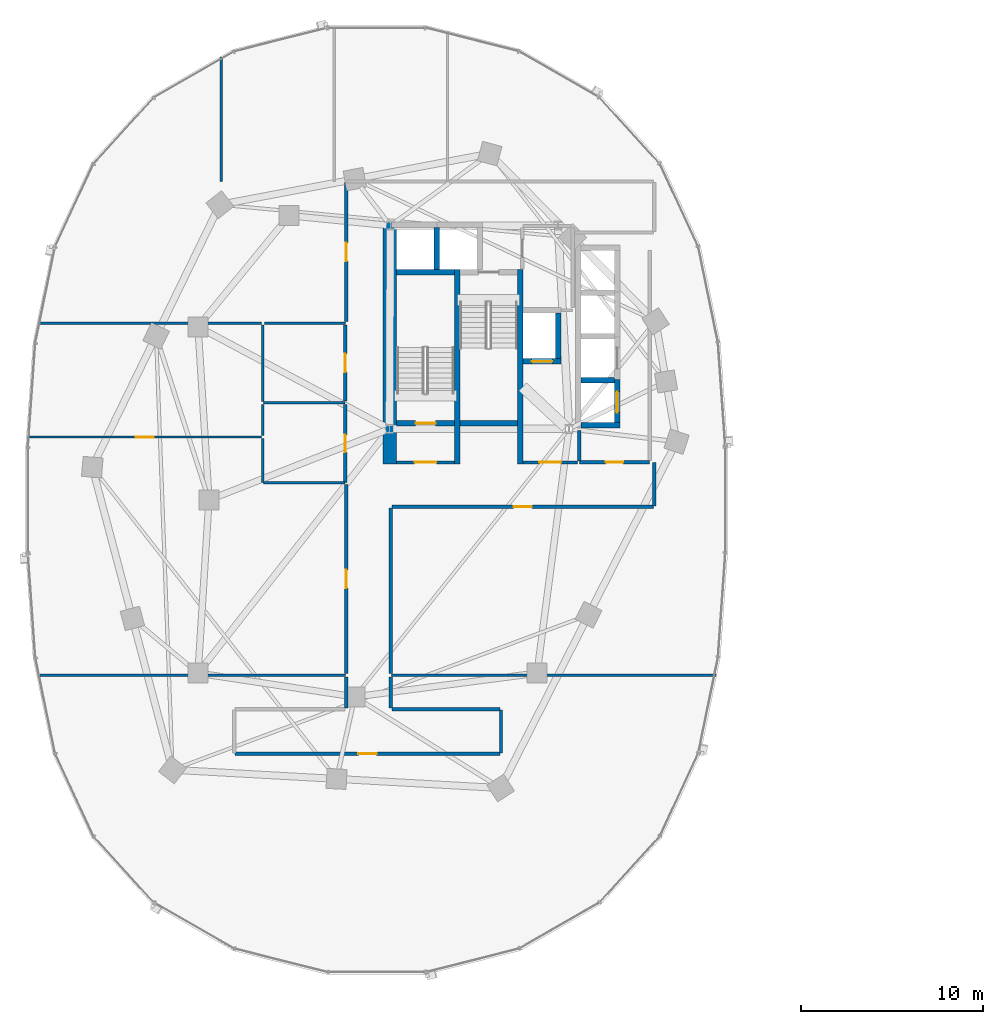
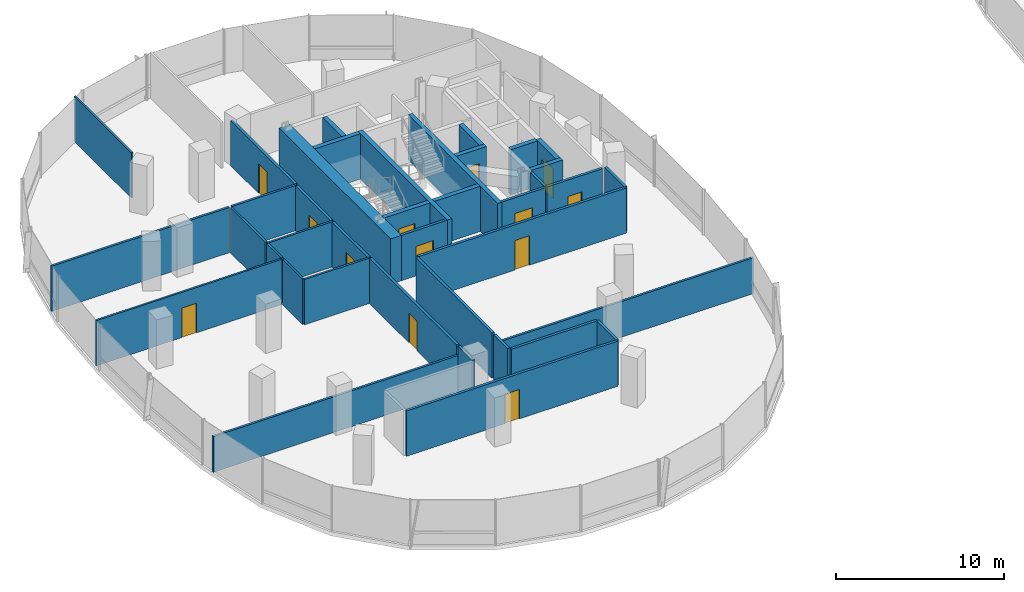
# One storey, part 11 of 21: 39 walls, 13 doors, 13 openings.
"""IFC4 building model written with IfcOpenShell, lengths in metres."""

import ifcopenshell
import ifcopenshell.guid

model = None  # the IFC model being written
_history = None  # IfcOwnerHistory: only IFC2X3 demands one
_inside = {}  # id of a spatial element -> (the spatial element, [elements in it])
_under = {}  # id of a project, library or spatial element -> (it, [spatial elements below it])
_declared = {}  # id of a project -> (the project, [libraries it declares])
_typed = {}  # id of a type object -> (the type object, [elements of that type])
_made_of = {}  # id of a material, layer set ... -> (it, [elements and type objects made of it])


def new_model(schema):
    """Start an empty IFC model of exactly this schema.

    Asked for "IFC4X3", IfcOpenShell would pick the latest addendum, in which some entities
    have other attributes; the version numbers below select the first issue.
    IFC2X3 requires an IfcOwnerHistory on every rooted entity: one is made here for all.
    """
    global model, _history
    if schema == "IFC4X3":
        model = ifcopenshell.file(schema_version=(4, 3, 0, 0))
    else:
        model = ifcopenshell.file(schema=schema)
    _inside.clear()
    _under.clear()
    _declared.clear()
    _typed.clear()
    _made_of.clear()
    _history = None
    if model.schema == "IFC2X3":
        org = make("IfcOrganization", Name="unknown")
        user = make(
            "IfcPersonAndOrganization",
            ThePerson=make("IfcPerson", FamilyName="unknown"),
            TheOrganization=org,
        )
        app = make(
            "IfcApplication",
            ApplicationDeveloper=org,
            Version="unknown",
            ApplicationFullName="unknown",
            ApplicationIdentifier="unknown",
        )
        _history = make(
            "IfcOwnerHistory",
            OwningUser=user,
            OwningApplication=app,
            ChangeAction="ADDED",
            CreationDate=0,
        )
    return model


def make(cls, **values):
    """One entity of the class cls with the attributes given. An attribute that is None is left unset."""
    return model.create_entity(
        cls, **{name: value for name, value in values.items() if value is not None}
    )


def rooted(cls, **values):
    """An entity with a GlobalId (a new one), such as an element, a storey or a relation."""
    return make(cls, GlobalId=ifcopenshell.guid.new(), OwnerHistory=_history, **values)


def si_unit(unit_type, name, prefix=None):
    """IfcSIUnit, for example si_unit("LENGTHUNIT", "METRE", prefix="MILLI")."""
    return make("IfcSIUnit", UnitType=unit_type, Prefix=prefix, Name=name)


def assignment(units):
    """IfcUnitAssignment: the units of a project."""
    return None if units is None else make("IfcUnitAssignment", Units=units)


def point(xyz):
    """IfcCartesianPoint."""
    return None if xyz is None else make("IfcCartesianPoint", Coordinates=xyz)


def direction(xyz):
    """IfcDirection."""
    return None if xyz is None else make("IfcDirection", DirectionRatios=xyz)


def frame(location, z_axis=None, x_axis=None):
    """IfcAxis2Placement3D, a coordinate frame: its origin and axes. An axis left out is left unset."""
    return make(
        "IfcAxis2Placement3D",
        Location=point(location),
        Axis=direction(z_axis),
        RefDirection=direction(x_axis),
    )


def frame_2d(location, x_axis=None):
    """IfcAxis2Placement2D, a coordinate frame in the plane: its origin and x axis."""
    return make(
        "IfcAxis2Placement2D", Location=point(location), RefDirection=direction(x_axis)
    )


def origin():
    """The frame at (0, 0, 0) with its axes left unset."""
    return frame((0.0, 0.0, 0.0))


def place(relative_to, where):
    """IfcLocalPlacement: puts the frame where relative to a parent placement (None: the world)."""
    return make(
        "IfcLocalPlacement", PlacementRelTo=relative_to, RelativePlacement=where
    )


def context(
    kind, dimensions, precision=None, world=None, true_north=None, identifier=None
):
    """IfcGeometricRepresentationContext, for example the 3D "Model" context."""
    return make(
        "IfcGeometricRepresentationContext",
        ContextIdentifier=identifier,
        ContextType=kind,
        CoordinateSpaceDimension=dimensions,
        Precision=precision,
        WorldCoordinateSystem=world,
        TrueNorth=true_north,
    )


def subcontext(parent, identifier, kind, view, scale=None):
    """IfcGeometricRepresentationSubContext, for example "Body" below "Model"."""
    return make(
        "IfcGeometricRepresentationSubContext",
        ContextIdentifier=identifier,
        ContextType=kind,
        ParentContext=parent,
        TargetScale=scale,
        TargetView=view,
    )


def project(units=None, contexts=None):
    """IfcProject with its units and contexts."""
    return rooted(
        "IfcProject",
        Name="project",
        RepresentationContexts=contexts,
        UnitsInContext=assignment(units),
    )


def spatial(cls, under=None, at=None, **own):
    """A site, building, storey or space (cls), placed at a placement, below another one or the project."""
    s = rooted(cls, ObjectPlacement=at, **own)
    if under is not None:
        _under.setdefault(under.id(), (under, []))[1].append(s)
    return s


def profile(cls, at=None, kind="AREA", **sizes):
    """A parametric profile (cls). Its sizes go by their IFC names, for example OverallWidth=200.0."""
    return make(cls, ProfileType=kind, Position=at, **sizes)


def rectangle(**sizes):
    """IfcRectangleProfileDef."""
    return profile("IfcRectangleProfileDef", **sizes)


def extrude(swept, where, along, depth):
    """IfcExtrudedAreaSolid: the profile swept, set in the frame where, extruded along a direction by depth."""
    return make(
        "IfcExtrudedAreaSolid",
        SweptArea=swept,
        Position=where,
        ExtrudedDirection=direction(along),
        Depth=depth,
    )


def shape(context_of_items, identifier, shape_type, items):
    """IfcShapeRepresentation: the items that make up one representation, for example the "Body"."""
    return make(
        "IfcShapeRepresentation",
        ContextOfItems=context_of_items,
        RepresentationIdentifier=identifier,
        RepresentationType=shape_type,
        Items=items,
    )


def material(Name=None, Category=None):
    """IfcMaterial."""
    return make("IfcMaterial", Name=Name, Category=Category)


def layer(
    of_material, thickness, ventilated=None, Name=None, Category=None, Priority=None
):
    """IfcMaterialLayer: one layer of a wall or slab, of a material (None: an air gap)."""
    return make(
        "IfcMaterialLayer",
        Material=of_material,
        LayerThickness=thickness,
        IsVentilated=ventilated,
        Name=Name,
        Category=Category,
        Priority=Priority,
    )


def layer_set(layers, Name=None):
    """IfcMaterialLayerSet."""
    return make("IfcMaterialLayerSet", MaterialLayers=layers, LayerSetName=Name)


def made_of(thing, what):
    """Note that an element or type object is made of a material, layer set ...; save() writes the relation."""
    if what is not None:
        _made_of.setdefault(what.id(), (what, []))[1].append(thing)
    return thing


def type_object(cls, material=None, **own):
    """A type object (cls), such as IfcWallType, which elements share."""
    return made_of(rooted(cls, **own), material)


def element(
    cls,
    number,
    at=None,
    inside=None,
    cuts=None,
    type_object=None,
    material=None,
    context=None,
    identifier="Body",
    shape_type=None,
    held_by="IfcProductDefinitionShape",
    body=None,
    shapes=None,
    **own,
):
    """One element of the class cls, such as IfcWall. Its Tag is "e" and its number.

    at: its placement. inside: the storey or other place that contains it. cuts: it is an
    opening in that element (IfcRelVoidsElement). A single representation is given by context,
    identifier, shape_type and body (its items); several are given by shapes. held_by: the class
    of the entity that holds the representations. save() writes the other relations.
    """
    e = rooted(cls, Tag="e%d" % number, ObjectPlacement=at, **own)
    if body is not None:
        shapes = [shape(context, identifier, shape_type, body)]
    if shapes is not None:
        e.Representation = make(held_by, Representations=shapes)
    if inside is not None:
        _inside.setdefault(inside.id(), (inside, []))[1].append(e)
    if cuts is not None:
        rooted(
            "IfcRelVoidsElement", RelatingBuildingElement=cuts, RelatedOpeningElement=e
        )
    if type_object is not None:
        _typed.setdefault(type_object.id(), (type_object, []))[1].append(e)
    return made_of(e, material)


def fill(opening, filler):
    """IfcRelFillsElement: the door or window that sits in an opening."""
    return rooted(
        "IfcRelFillsElement",
        RelatingOpeningElement=opening,
        RelatedBuildingElement=filler,
    )


def aggregate(whole, parts):
    """IfcRelAggregates: a whole, such as a stair, and the parts it consists of."""
    return rooted("IfcRelAggregates", RelatingObject=whole, RelatedObjects=parts)


def save(model, path):
    """Write the relations noted so far, then the file.

    IfcRelAggregates (storeys below a building ...), IfcRelContainedInSpatialStructure (elements
    in a storey), IfcRelDefinesByType, IfcRelAssociatesMaterial and IfcRelDeclares: one each for
    every whole, place, type object, material and project.
    """
    for whole, parts in _under.values():
        aggregate(whole, parts)
    for where, things in _inside.values():
        rooted(
            "IfcRelContainedInSpatialStructure",
            RelatedElements=things,
            RelatingStructure=where,
        )
    for kind, things in _typed.values():
        rooted("IfcRelDefinesByType", RelatedObjects=things, RelatingType=kind)
    for what, things in _made_of.values():
        rooted("IfcRelAssociatesMaterial", RelatedObjects=things, RelatingMaterial=what)
    for by, libraries in _declared.values():
        rooted("IfcRelDeclares", RelatingContext=by, RelatedDefinitions=libraries)
    model.write(path)


model = new_model("IFC4")

# Units and contexts
model_context = context("Model", 3, precision=1e-05, world=origin(), true_north=direction((0.0, 1.0)))
body_context = subcontext(model_context, "Body", "Model", "MODEL_VIEW")
ifc_project = project(units=[si_unit("LENGTHUNIT", "METRE"), si_unit("AREAUNIT", "SQUARE_METRE"), si_unit("VOLUMEUNIT", "CUBIC_METRE"), si_unit("PLANEANGLEUNIT", "RADIAN"), si_unit("MASSUNIT", "GRAM", prefix="KILO"), si_unit("THERMODYNAMICTEMPERATUREUNIT", "KELVIN"), si_unit("POWERUNIT", "WATT")], contexts=[model_context])

# Site, building, storey
site_placement = place(None, origin())
site = spatial("IfcSite", under=ifc_project, at=site_placement, CompositionType="ELEMENT")
building_placement = place(site_placement, origin())
building = spatial("IfcBuilding", under=site, at=building_placement, Name="Cundina Bronze Exchange", CompositionType="ELEMENT")
storey_placement = place(building_placement, frame((0.0, 0.0, 96.199951171875)))
storey = spatial("IfcBuildingStorey", under=building, at=storey_placement, Name="L24", CompositionType="ELEMENT", Elevation=96.199951171875)

# Wall
ifc_material_1 = material(Name="Gypsum Fireboard Partition EI120")
ifc_layer_1 = layer(ifc_material_1, 0.179931640625, Name="Gypsum Fireboard Partition EI120")
ifc_layer_set_1 = layer_set([ifc_layer_1], Name="Gypsum Fireboard Partition EI120")
wall_type_1 = type_object("IfcWallType", Name="WL-COR-180", PredefinedType="PARTITIONING", material=ifc_layer_set_1)
wall_1_placement = place(storey_placement, frame((-20.889892578125, 2.14990234375, 0.0), z_axis=(0.0, 0.0, 1.0), x_axis=(0.0, 1.0, 0.0)))
element("IfcWall", 1, at=wall_1_placement, inside=storey, type_object=wall_type_1, Name="L24 W Firefighting Lobby Side Wall", PredefinedType="PARTITIONING", context=body_context, shape_type="SweptSolid", body=[
    extrude(rectangle(XDim=1.650146484375, YDim=0.179931640625, at=frame_2d((0.8251953125, 0.0))), origin(), (0.0, 0.0, 1.0), 3.300048828125),
])

# Wall, opening, door
wall_2_placement = place(storey_placement, frame((-23.97998046875, 2.06005859375, 0.0), z_axis=(0.0, 0.0, 1.0), x_axis=(1.0, 0.0, 0.0)))
wall_2 = element("IfcWall", 2, at=wall_2_placement, inside=storey, type_object=wall_type_1, Name="L24 W Firefighting Lobby Exit Wall", PredefinedType="PARTITIONING", context=body_context, shape_type="SweptSolid", body=[
    extrude(rectangle(XDim=3.0, YDim=0.179931640625, at=frame_2d((1.5, 0.0))), origin(), (0.0, 0.0, 1.0), 3.300048828125),
])
opening_1_placement = place(wall_2_placement, frame((0.89990234375, 0.0, 0.0)))
opening_1 = element("IfcOpeningElement", 3, at=opening_1_placement, cuts=wall_2, Name="Opening DF-01", PredefinedType="OPENING", context=body_context, shape_type="SweptSolid", body=[
    extrude(rectangle(XDim=1.199951171875, YDim=2.14990234375, at=frame_2d((0.60009765625, 1.074951171875))), frame((0.0, 0.099853515625, 0.0), z_axis=(0.0, -1.0, 0.0), x_axis=(1.0, 0.0, 0.0)), (0.0, 0.0, 1.0), 0.199951171875),
])
ifc_material_2 = material(Name="Steel ASTM A36 Painted", Category="steel")
door_type_1 = type_object("IfcDoorType", Name="DR-FFL-1200", OperationType="NOTDEFINED", PredefinedType="DOOR", material=ifc_material_2)
door_1_placement = place(opening_1_placement, origin())
door_1 = element("IfcDoor", 4, at=door_1_placement, inside=storey, type_object=door_type_1, Name="L24 W Firefighting Lobby Door", OperationType="SINGLE_SWING_RIGHT", OverallHeight=2.14990234375, OverallWidth=1.199951171875, PredefinedType="DOOR", context=body_context, shape_type="SweptSolid", body=[
    extrude(rectangle(XDim=1.199951171875, YDim=2.14990234375, at=frame_2d((0.60009765625, 1.074951171875))), frame((0.0, 0.02490234375, 0.0), z_axis=(0.0, -1.0, 0.0), x_axis=(1.0, 0.0, 0.0)), (0.0, 0.0, 1.0), 0.050048828125),
])
fill(opening_1, door_1)

wall_3_placement = place(storey_placement, frame((-30.89990234375, 2.06005859375, 0.0), z_axis=(0.0, 0.0, 1.0), x_axis=(1.0, 0.0, 0.0)))
wall_3 = element("IfcWall", 5, at=wall_3_placement, inside=storey, type_object=wall_type_1, Name="L24 W Stair Vestibule Exit Wall", PredefinedType="PARTITIONING", context=body_context, shape_type="SweptSolid", body=[
    extrude(rectangle(XDim=3.159912109375, YDim=0.179931640625, at=frame_2d((1.580078125, 0.0))), origin(), (0.0, 0.0, 1.0), 3.300048828125),
])
opening_2_placement = place(wall_3_placement, frame((0.97998046875, 0.0, 0.0)))
opening_2 = element("IfcOpeningElement", 6, at=opening_2_placement, cuts=wall_3, Name="Opening DF-01", PredefinedType="OPENING", context=body_context, shape_type="SweptSolid", body=[
    extrude(rectangle(XDim=1.199951171875, YDim=2.14990234375, at=frame_2d((0.60009765625, 1.074951171875))), frame((0.0, 0.099853515625, 0.0), z_axis=(0.0, -1.0, 0.0), x_axis=(1.0, 0.0, 0.0)), (0.0, 0.0, 1.0), 0.199951171875),
])
door_2_placement = place(opening_2_placement, origin())
door_2 = element("IfcDoor", 7, at=door_2_placement, inside=storey, type_object=door_type_1, Name="L24 W Stair Vestibule Door", OperationType="SINGLE_SWING_LEFT", OverallHeight=2.14990234375, OverallWidth=1.199951171875, PredefinedType="DOOR", context=body_context, shape_type="SweptSolid", body=[
    extrude(rectangle(XDim=1.199951171875, YDim=2.14990234375, at=frame_2d((0.60009765625, 1.074951171875))), frame((0.0, 0.02490234375, 0.0), z_axis=(0.0, -1.0, 0.0), x_axis=(1.0, 0.0, 0.0)), (0.0, 0.0, 1.0), 0.050048828125),
])
fill(opening_2, door_2)

wall_4_placement = place(storey_placement, frame((-20.8701171875, 2.070068359375, 0.0), z_axis=(0.0, 0.0, 1.0), x_axis=(1.0, 0.0, 0.0)))
wall_4 = element("IfcWall", 8, at=wall_4_placement, inside=storey, type_object=wall_type_1, Name="L24 Interior Partition 002", PredefinedType="PARTITIONING", context=body_context, shape_type="SweptSolid", body=[
    extrude(rectangle(XDim=3.830078125, YDim=0.179931640625, at=frame_2d((1.9150390625, 0.0))), origin(), (0.0, 0.0, 1.0), 3.300048828125),
])
opening_3_placement = place(wall_4_placement, frame((1.43994140625, 0.0, 0.0)))
opening_3 = element("IfcOpeningElement", 9, at=opening_3_placement, cuts=wall_4, Name="Opening DW-01", PredefinedType="OPENING", context=body_context, shape_type="SweptSolid", body=[
    extrude(rectangle(XDim=0.949951171875, YDim=2.10009765625, at=frame_2d((0.47509765625, 1.050048828125))), frame((0.0, 0.099853515625, 0.0), z_axis=(0.0, -1.0, 0.0), x_axis=(1.0, 0.0, 0.0)), (0.0, 0.0, 1.0), 0.199951171875),
])
ifc_material_3 = material(Name="Solid Andean Oak Timber Grade A", Category="wood")
door_type_2 = type_object("IfcDoorType", Name="DR-WC-950", OperationType="NOTDEFINED", PredefinedType="DOOR", material=ifc_material_3)
door_3_placement = place(opening_3_placement, origin())
door_3 = element("IfcDoor", 10, at=door_3_placement, inside=storey, type_object=door_type_2, Name="L24 Interior Door 002", OperationType="SINGLE_SWING_LEFT", OverallHeight=2.10009765625, OverallWidth=0.949951171875, PredefinedType="DOOR", context=body_context, shape_type="SweptSolid", body=[
    extrude(rectangle(XDim=0.949951171875, YDim=2.10009765625, at=frame_2d((0.47509765625, 1.050048828125))), frame((0.0, 0.02490234375, 0.0), z_axis=(0.0, -1.0, 0.0), x_axis=(1.0, 0.0, 0.0)), (0.0, 0.0, 1.0), 0.050048828125),
])
fill(opening_3, door_3)

wall_5_placement = place(storey_placement, frame((-33.719970703125, 0.969970703125, 0.0), z_axis=(0.0, 0.0, 1.0), x_axis=(0.0, 1.0, 0.0)))
wall_5 = element("IfcWall", 11, at=wall_5_placement, inside=storey, type_object=wall_type_1, Name="L24 Interior Partition 012", PredefinedType="PARTITIONING", context=body_context, shape_type="SweptSolid", body=[
    extrude(rectangle(XDim=4.260009765625, YDim=0.179931640625, at=frame_2d((2.1298828125, 0.0))), origin(), (0.0, 0.0, 1.0), 3.300048828125),
])
opening_4_placement = place(wall_5_placement, frame((1.655029296875, 0.0, 0.0)))
opening_4 = element("IfcOpeningElement", 12, at=opening_4_placement, cuts=wall_5, Name="Opening DW-01", PredefinedType="OPENING", context=body_context, shape_type="SweptSolid", body=[
    extrude(rectangle(XDim=0.949951171875, YDim=2.10009765625, at=frame_2d((0.47509765625, 1.050048828125))), frame((0.0, 0.099853515625, 0.0), z_axis=(0.0, -1.0, 0.0), x_axis=(1.0, 0.0, 0.0)), (0.0, 0.0, 1.0), 0.199951171875),
])
door_4_placement = place(opening_4_placement, origin())
door_4 = element("IfcDoor", 13, at=door_4_placement, inside=storey, type_object=door_type_2, Name="L24 Interior Door 012", OperationType="SINGLE_SWING_RIGHT", OverallHeight=2.10009765625, OverallWidth=0.949951171875, PredefinedType="DOOR", context=body_context, shape_type="SweptSolid", body=[
    extrude(rectangle(XDim=0.949951171875, YDim=2.10009765625, at=frame_2d((0.47509765625, 1.050048828125))), frame((0.0, 0.02490234375, 0.0), z_axis=(0.0, -1.0, 0.0), x_axis=(1.0, 0.0, 0.0)), (0.0, 0.0, 1.0), 0.050048828125),
])
fill(opening_4, door_4)

wall_6_placement = place(storey_placement, frame((-33.719970703125, 5.429931640625, 0.0), z_axis=(0.0, 0.0, 1.0), x_axis=(0.0, 1.0, 0.0)))
wall_6 = element("IfcWall", 14, at=wall_6_placement, inside=storey, type_object=wall_type_1, Name="L24 Interior Partition 013", PredefinedType="PARTITIONING", context=body_context, shape_type="SweptSolid", body=[
    extrude(rectangle(XDim=4.16015625, YDim=0.179931640625, at=frame_2d((2.080078125, 0.0))), origin(), (0.0, 0.0, 1.0), 3.300048828125),
])
opening_5_placement = place(wall_6_placement, frame((1.580078125, 0.0, 0.0)))
opening_5 = element("IfcOpeningElement", 15, at=opening_5_placement, cuts=wall_6, Name="Opening DO-01", PredefinedType="OPENING", context=body_context, shape_type="SweptSolid", body=[
    extrude(rectangle(XDim=1.0, YDim=2.14990234375, at=frame_2d((0.5, 1.074951171875))), frame((0.0, 0.099853515625, 0.0), z_axis=(0.0, -1.0, 0.0), x_axis=(1.0, 0.0, 0.0)), (0.0, 0.0, 1.0), 0.199951171875),
])
door_type_3 = type_object("IfcDoorType", Name="DR-OFF-1000", OperationType="NOTDEFINED", PredefinedType="DOOR", material=ifc_material_3)
door_5_placement = place(opening_5_placement, origin())
door_5 = element("IfcDoor", 16, at=door_5_placement, inside=storey, type_object=door_type_3, Name="L24 Interior Door 013", OperationType="SINGLE_SWING_LEFT", OverallHeight=2.14990234375, OverallWidth=1.0, PredefinedType="DOOR", context=body_context, shape_type="SweptSolid", body=[
    extrude(rectangle(XDim=1.0, YDim=2.14990234375, at=frame_2d((0.5, 1.074951171875))), frame((0.0, 0.02490234375, 0.0), z_axis=(0.0, -1.0, 0.0), x_axis=(1.0, 0.0, 0.0)), (0.0, 0.0, 1.0), 0.050048828125),
])
fill(opening_5, door_5)

wall_7_placement = place(storey_placement, frame((-39.778564453125, -13.919921875, 0.0), z_axis=(0.0, 0.0, 1.0), x_axis=(1.0, 0.0, 0.0)))
wall_7 = element("IfcWall", 17, at=wall_7_placement, inside=storey, type_object=wall_type_1, Name="L24 Interior Partition 021", PredefinedType="PARTITIONING", context=body_context, shape_type="SweptSolid", body=[
    extrude(rectangle(XDim=14.55712890625, YDim=0.179931640625, at=frame_2d((7.278564453125, 0.0))), origin(), (0.0, 0.0, 1.0), 3.300048828125),
])
opening_6_placement = place(wall_7_placement, frame((6.778564453125, 0.0, 0.0)))
opening_6 = element("IfcOpeningElement", 18, at=opening_6_placement, cuts=wall_7, Name="Opening DO-01", PredefinedType="OPENING", context=body_context, shape_type="SweptSolid", body=[
    extrude(rectangle(XDim=1.0, YDim=2.14990234375, at=frame_2d((0.5, 1.074951171875))), frame((0.0, 0.099853515625, 0.0), z_axis=(0.0, -1.0, 0.0), x_axis=(1.0, 0.0, 0.0)), (0.0, 0.0, 1.0), 0.199951171875),
])
door_6_placement = place(opening_6_placement, origin())
door_6 = element("IfcDoor", 19, at=door_6_placement, inside=storey, type_object=door_type_3, Name="L24 Interior Door 021", OperationType="SINGLE_SWING_LEFT", OverallHeight=2.14990234375, OverallWidth=1.0, PredefinedType="DOOR", context=body_context, shape_type="SweptSolid", body=[
    extrude(rectangle(XDim=1.0, YDim=2.14990234375, at=frame_2d((0.5, 1.074951171875))), frame((0.0, 0.02490234375, 0.0), z_axis=(0.0, -1.0, 0.0), x_axis=(1.0, 0.0, 0.0)), (0.0, 0.0, 1.0), 0.050048828125),
])
fill(opening_6, door_6)

# Walls
wall_8_placement = place(storey_placement, frame((-25.221435546875, -11.47998046875, 0.0), z_axis=(0.0, 0.0, 1.0), x_axis=(-1.0, 0.0, 0.0)))
element("IfcWall", 20, at=wall_8_placement, inside=storey, type_object=wall_type_1, Name="L24 Interior Partition 023", PredefinedType="PARTITIONING", context=body_context, shape_type="SweptSolid", body=[
    extrude(rectangle(XDim=5.928466796875, YDim=0.179931640625, at=frame_2d((2.96435546875, 0.0))), origin(), (0.0, 0.0, 1.0), 3.300048828125),
])
wall_9_placement = place(storey_placement, frame((-25.179931640625, -13.87841796875, 0.0), z_axis=(0.0, 0.0, 1.0), x_axis=(0.0, 1.0, 0.0)))
element("IfcWall", 21, at=wall_9_placement, inside=storey, type_object=wall_type_1, Name="L24 Interior Partition 025", PredefinedType="PARTITIONING", context=body_context, shape_type="SweptSolid", body=[
    extrude(rectangle(XDim=2.35693359375, YDim=0.179931640625, at=frame_2d((1.178466796875, 0.0))), origin(), (0.0, 0.0, 1.0), 3.300048828125),
])
for number, where, z_axis, x_axis, name in (
    (22, (-33.669921875, -9.7099609375, 0.0), (0.0, 0.0, 1.0), (0.0, -1.0, 0.0), "L24 Interior Partition 026"),
    (23, (-31.22998046875, -11.39990234375, 0.0), (0.0, 0.0, 1.0), (0.0, 1.0, 0.0), "L24 Interior Partition 027"),
):
    element("IfcWall", number, at=place(storey_placement, frame(where, z_axis=z_axis, x_axis=x_axis)), inside=storey, type_object=wall_type_1, Name=name, PredefinedType="PARTITIONING", context=body_context, shape_type="SweptSolid", body=[
        extrude(rectangle(XDim=1.68994140625, YDim=0.179931640625, at=frame_2d((0.844970703125, 0.0))), origin(), (0.0, 0.0, 1.0), 3.300048828125),
    ])

# Wall, opening, door
wall_10_placement = place(storey_placement, frame((-33.669921875, 0.858642578125, 0.0), z_axis=(0.0, 0.0, 1.0), x_axis=(0.0, -1.0, 0.0)))
wall_10 = element("IfcWall", 24, at=wall_10_placement, inside=storey, type_object=wall_type_1, Name="L24 Interior Partition 028", PredefinedType="PARTITIONING", context=body_context, shape_type="SweptSolid", body=[
    extrude(rectangle(XDim=10.388671875, YDim=0.179931640625, at=frame_2d((5.1943359375, 0.0))), origin(), (0.0, 0.0, 1.0), 3.300048828125),
])
opening_7_placement = place(wall_10_placement, frame((4.6943359375, 0.0, 0.0)))
opening_7 = element("IfcOpeningElement", 25, at=opening_7_placement, cuts=wall_10, Name="Opening DO-01", PredefinedType="OPENING", context=body_context, shape_type="SweptSolid", body=[
    extrude(rectangle(XDim=1.0, YDim=2.14990234375, at=frame_2d((0.5, 1.074951171875))), frame((0.0, 0.099853515625, 0.0), z_axis=(0.0, -1.0, 0.0), x_axis=(1.0, 0.0, 0.0)), (0.0, 0.0, 1.0), 0.199951171875),
])
door_7_placement = place(opening_7_placement, origin())
door_7 = element("IfcDoor", 26, at=door_7_placement, inside=storey, type_object=door_type_3, Name="L24 Interior Door 028", OperationType="SINGLE_SWING_LEFT", OverallHeight=2.14990234375, OverallWidth=1.0, PredefinedType="DOOR", context=body_context, shape_type="SweptSolid", body=[
    extrude(rectangle(XDim=1.0, YDim=2.14990234375, at=frame_2d((0.5, 1.074951171875))), frame((0.0, 0.02490234375, 0.0), z_axis=(0.0, -1.0, 0.0), x_axis=(1.0, 0.0, 0.0)), (0.0, 0.0, 1.0), 0.050048828125),
])
fill(opening_7, door_7)

wall_11_placement = place(storey_placement, frame((-31.14990234375, -0.3701171875, 0.0), z_axis=(0.0, 0.0, 1.0), x_axis=(1.0, 0.0, 0.0)))
wall_11 = element("IfcWall", 27, at=wall_11_placement, inside=storey, type_object=wall_type_1, Name="L24 Interior Partition 029", PredefinedType="PARTITIONING", context=body_context, shape_type="SweptSolid", body=[
    extrude(rectangle(XDim=14.328369140625, YDim=0.179931640625, at=frame_2d((7.1640625, 0.0))), origin(), (0.0, 0.0, 1.0), 3.300048828125),
])
opening_8_placement = place(wall_11_placement, frame((6.664306640625, 0.0, 0.0)))
opening_8 = element("IfcOpeningElement", 28, at=opening_8_placement, cuts=wall_11, Name="Opening DO-01", PredefinedType="OPENING", context=body_context, shape_type="SweptSolid", body=[
    extrude(rectangle(XDim=1.0, YDim=2.14990234375, at=frame_2d((0.5, 1.074951171875))), frame((0.0, 0.099853515625, 0.0), z_axis=(0.0, -1.0, 0.0), x_axis=(1.0, 0.0, 0.0)), (0.0, 0.0, 1.0), 0.199951171875),
])
door_8_placement = place(opening_8_placement, origin())
door_8 = element("IfcDoor", 29, at=door_8_placement, inside=storey, type_object=door_type_3, Name="L24 Interior Door 029", OperationType="SINGLE_SWING_LEFT", OverallHeight=2.14990234375, OverallWidth=1.0, PredefinedType="DOOR", context=body_context, shape_type="SweptSolid", body=[
    extrude(rectangle(XDim=1.0, YDim=2.14990234375, at=frame_2d((0.5, 1.074951171875))), frame((0.0, 0.02490234375, 0.0), z_axis=(0.0, -1.0, 0.0), x_axis=(1.0, 0.0, 0.0)), (0.0, 0.0, 1.0), 0.050048828125),
])
fill(opening_8, door_8)

# Walls
wall_12_placement = place(storey_placement, frame((-31.22998046875, -9.530029296875, 0.0), z_axis=(0.0, 0.0, 1.0), x_axis=(0.0, 1.0, 0.0)))
element("IfcWall", 30, at=wall_12_placement, inside=storey, type_object=wall_type_1, Name="L24 Interior Partition 031", PredefinedType="PARTITIONING", context=body_context, shape_type="SweptSolid", body=[
    extrude(rectangle(XDim=9.080078125, YDim=0.179931640625, at=frame_2d((4.5400390625, 0.0))), origin(), (0.0, 0.0, 1.0), 3.300048828125),
])
wall_13_placement = place(storey_placement, frame((-16.780029296875, -0.32861328125, 0.0), z_axis=(0.0, 0.0, 1.0), x_axis=(0.0, 1.0, 0.0)))
element("IfcWall", 31, at=wall_13_placement, inside=storey, type_object=wall_type_1, Name="L24 Interior Partition 034", PredefinedType="PARTITIONING", context=body_context, shape_type="SweptSolid", body=[
    extrude(rectangle(XDim=2.38720703125, YDim=0.179931640625, at=frame_2d((1.193603515625, 0.0))), origin(), (0.0, 0.0, 1.0), 3.300048828125),
])

# Wall, opening, door
wall_14_placement = place(storey_placement, frame((-33.669921875, 17.428466796875, 0.0), z_axis=(0.0, 0.0, 1.0), x_axis=(0.0, -1.0, 0.0)))
wall_14 = element("IfcWall", 32, at=wall_14_placement, inside=storey, type_object=wall_type_1, Name="L24 Interior Partition 035", PredefinedType="PARTITIONING", context=body_context, shape_type="SweptSolid", body=[
    extrude(rectangle(XDim=7.638427734375, YDim=0.179931640625, at=frame_2d((3.8193359375, 0.0))), origin(), (0.0, 0.0, 1.0), 3.300048828125),
])
opening_9_placement = place(wall_14_placement, frame((3.3193359375, 0.0, 0.0)))
opening_9 = element("IfcOpeningElement", 33, at=opening_9_placement, cuts=wall_14, Name="Opening DO-01", PredefinedType="OPENING", context=body_context, shape_type="SweptSolid", body=[
    extrude(rectangle(XDim=1.0, YDim=2.14990234375, at=frame_2d((0.5, 1.074951171875))), frame((0.0, 0.099853515625, 0.0), z_axis=(0.0, -1.0, 0.0), x_axis=(1.0, 0.0, 0.0)), (0.0, 0.0, 1.0), 0.199951171875),
])
door_9_placement = place(opening_9_placement, origin())
door_9 = element("IfcDoor", 34, at=door_9_placement, inside=storey, type_object=door_type_3, Name="L24 Interior Door 035", OperationType="SINGLE_SWING_LEFT", OverallHeight=2.14990234375, OverallWidth=1.0, PredefinedType="DOOR", context=body_context, shape_type="SweptSolid", body=[
    extrude(rectangle(XDim=1.0, YDim=2.14990234375, at=frame_2d((0.5, 1.074951171875))), frame((0.0, 0.02490234375, 0.0), z_axis=(0.0, -1.0, 0.0), x_axis=(1.0, 0.0, 0.0)), (0.0, 0.0, 1.0), 0.050048828125),
])
fill(opening_9, door_9)

# Walls
ifc_material_4 = material(Name="Concrete C60/75", Category="concrete")
ifc_layer_2 = layer(ifc_material_4, 0.75, Name="Concrete C60/75", Category="concrete")
ifc_layer_set_2 = layer_set([ifc_layer_2], Name="Concrete C60/75")
wall_type_2 = type_object("IfcWallType", Name="WL-CORE-750", PredefinedType="SHEAR", material=ifc_layer_set_2)
wall_15_placement = place(storey_placement, frame((-31.27490234375, 1.969970703125, 0.0), z_axis=(0.0, 0.0, 1.0), x_axis=(0.0, 1.0, 0.0)))
element("IfcWall", 35, at=wall_15_placement, inside=storey, type_object=wall_type_2, Name="L24 W Primary Core Shear Spine Wall", PredefinedType="SHEAR", context=body_context, shape_type="SweptSolid", body=[
    extrude(rectangle(XDim=13.330078125, YDim=0.75, at=frame_2d((6.6650390625, 0.0))), origin(), (0.0, 0.0, 1.0), 3.300048828125),
])
ifc_material_5 = material(Name="Gypsum Acoustic Partition EI60")
ifc_layer_3 = layer(ifc_material_5, 0.125, Name="Gypsum Acoustic Partition EI60")
ifc_layer_set_3 = layer_set([ifc_layer_3], Name="Gypsum Acoustic Partition EI60")
wall_type_3 = type_object("IfcWallType", Name="WL-OFF-125", PredefinedType="PARTITIONING", material=ifc_layer_set_3)
wall_16_placement = place(storey_placement, frame((-40.52001953125, 17.469970703125, 0.0), z_axis=(0.0, 0.0, 1.0), x_axis=(0.0, 1.0, 0.0)))
element("IfcWall", 36, at=wall_16_placement, inside=storey, type_object=wall_type_3, Name="L24 Interior Partition 018", PredefinedType="PARTITIONING", context=body_context, shape_type="SweptSolid", body=[
    extrude(rectangle(XDim=6.830810546875, YDim=0.125, at=frame_2d((3.41552734375, 0.0))), origin(), (0.0, 0.0, 1.0), 3.300048828125),
])

# Wall, opening, door
wall_17_placement = place(storey_placement, frame((-38.320068359375, 3.449951171875, 0.0), z_axis=(0.0, 0.0, 1.0), x_axis=(-1.0, 0.0, 0.0)))
wall_17 = element("IfcWall", 37, at=wall_17_placement, inside=storey, type_object=wall_type_3, Name="L24 Interior Partition 037", PredefinedType="PARTITIONING", context=body_context, shape_type="SweptSolid", body=[
    extrude(rectangle(XDim=12.792724609375, YDim=0.125, at=frame_2d((6.396484375, 0.0))), origin(), (0.0, 0.0, 1.0), 3.300048828125),
])
opening_10_placement = place(wall_17_placement, frame((5.896484375, 0.0, 0.0)))
opening_10 = element("IfcOpeningElement", 38, at=opening_10_placement, cuts=wall_17, Name="Opening DO-01", PredefinedType="OPENING", context=body_context, shape_type="SweptSolid", body=[
    extrude(rectangle(XDim=1.0, YDim=2.14990234375, at=frame_2d((0.5, 1.074951171875))), frame((0.0, 0.072509765625, 0.0), z_axis=(0.0, -1.0, 0.0), x_axis=(1.0, 0.0, 0.0)), (0.0, 0.0, 1.0), 0.14501953125),
])
door_10_placement = place(opening_10_placement, origin())
door_10 = element("IfcDoor", 39, at=door_10_placement, inside=storey, type_object=door_type_3, Name="L24 Interior Door 037", OperationType="SINGLE_SWING_LEFT", OverallHeight=2.14990234375, OverallWidth=1.0, PredefinedType="DOOR", context=body_context, shape_type="SweptSolid", body=[
    extrude(rectangle(XDim=1.0, YDim=2.14990234375, at=frame_2d((0.5, 1.074951171875))), frame((0.0, 0.02490234375, 0.0), z_axis=(0.0, -1.0, 0.0), x_axis=(1.0, 0.0, 0.0)), (0.0, 0.0, 1.0), 0.050048828125),
])
fill(opening_10, door_10)

# Walls
ifc_material_6 = material(Name="Concrete C50/60", Category="concrete")
ifc_layer_4 = layer(ifc_material_6, 0.300048828125, Name="Concrete C50/60", Category="concrete")
ifc_layer_set_4 = layer_set([ifc_layer_4], Name="Concrete C50/60")
wall_type_4 = type_object("IfcWallType", Name="WL-SHFT-300", PredefinedType="SHEAR", material=ifc_layer_set_4)
for number, where, z_axis, x_axis, name in (
    (40, (-27.590087890625, 1.969970703125, 0.0), (0.0, 0.0, 1.0), (0.0, 1.0, 0.0), "L24 W Stair Shaft Dividing Shear Wall"),
    (41, (-24.1298828125, 1.969970703125, 0.0), (0.0, 0.0, 1.0), (0.0, 1.0, 0.0), "L24 W Stair 2 East Shear Wall"),
):
    element("IfcWall", number, at=place(storey_placement, frame(where, z_axis=z_axis, x_axis=x_axis)), inside=storey, type_object=wall_type_4, Name=name, PredefinedType="SHEAR", context=body_context, shape_type="SweptSolid", body=[
        extrude(rectangle(XDim=10.679931640625, YDim=0.300048828125, at=frame_2d((5.33984375, 0.0))), origin(), (0.0, 0.0, 1.0), 3.300048828125),
    ])

# Wall, opening, door
wall_18_placement = place(storey_placement, frame((-30.89990234375, 4.199951171875, 0.0), z_axis=(0.0, 0.0, 1.0), x_axis=(1.0, 0.0, 0.0)))
wall_18 = element("IfcWall", 42, at=wall_18_placement, inside=storey, type_object=wall_type_4, Name="L24 Stair W1 Landing Wall", PredefinedType="SHEAR", context=body_context, shape_type="SweptSolid", body=[
    extrude(rectangle(XDim=3.159912109375, YDim=0.300048828125, at=frame_2d((1.580078125, 0.0))), origin(), (0.0, 0.0, 1.0), 3.300048828125),
])
opening_11_placement = place(wall_18_placement, frame((1.030029296875, 0.0, 0.0)))
opening_11 = element("IfcOpeningElement", 43, at=opening_11_placement, cuts=wall_18, Name="Opening DS-01", PredefinedType="OPENING", context=body_context, shape_type="SweptSolid", body=[
    extrude(rectangle(XDim=1.10009765625, YDim=2.14990234375, at=frame_2d((0.550048828125, 1.074951171875))), frame((0.0, 0.159912109375, 0.0), z_axis=(0.0, -1.0, 0.0), x_axis=(1.0, 0.0, 0.0)), (0.0, 0.0, 1.0), 0.320068359375),
])
door_type_4 = type_object("IfcDoorType", Name="DR-STR-1100", OperationType="NOTDEFINED", PredefinedType="DOOR", material=ifc_material_2)
door_11_placement = place(opening_11_placement, origin())
door_11 = element("IfcDoor", 44, at=door_11_placement, inside=storey, type_object=door_type_4, Name="L24 Smokeproof Stair W1 Door", OperationType="SINGLE_SWING_RIGHT", OverallHeight=2.14990234375, OverallWidth=1.10009765625, PredefinedType="DOOR", context=body_context, shape_type="SweptSolid", body=[
    extrude(rectangle(XDim=1.10009765625, YDim=2.14990234375, at=frame_2d((0.550048828125, 1.074951171875))), frame((0.0, 0.02490234375, 0.0), z_axis=(0.0, -1.0, 0.0), x_axis=(1.0, 0.0, 0.0)), (0.0, 0.0, 1.0), 0.050048828125),
])
fill(opening_11, door_11)

# Walls
for number, where, z_axis, x_axis, name in (
    (45, (-30.89990234375, 12.5, 0.0), (0.0, 0.0, 1.0), (1.0, 0.0, 0.0), "L24 Stair W1 Far Shaft Wall"),
    (46, (-27.43994140625, 4.199951171875, 0.0), (0.0, 0.0, 1.0), (1.0, 0.0, 0.0), "L24 Stair W2 Far Shaft Wall"),
):
    element("IfcWall", number, at=place(storey_placement, frame(where, z_axis=z_axis, x_axis=x_axis)), inside=storey, type_object=wall_type_4, Name=name, PredefinedType="SHEAR", context=body_context, shape_type="SweptSolid", body=[
        extrude(rectangle(XDim=3.159912109375, YDim=0.300048828125, at=frame_2d((1.580078125, 0.0))), origin(), (0.0, 0.0, 1.0), 3.300048828125),
    ])

# Wall, opening, door
wall_19_placement = place(storey_placement, frame((-23.97998046875, 7.60009765625, 0.0), z_axis=(0.0, 0.0, 1.0), x_axis=(1.0, 0.0, 0.0)))
wall_19 = element("IfcWall", 47, at=wall_19_placement, inside=storey, type_object=wall_type_4, Name="L24 FFL-W Hoistway Front Wall", PredefinedType="SHEAR", context=body_context, shape_type="SweptSolid", body=[
    extrude(rectangle(XDim=2.10009765625, YDim=0.300048828125, at=frame_2d((1.050048828125, 0.0))), origin(), (0.0, 0.0, 1.0), 3.300048828125),
])
opening_12_placement = place(wall_19_placement, frame((0.47509765625, 0.0, 0.0)))
opening_12 = element("IfcOpeningElement", 48, at=opening_12_placement, cuts=wall_19, Name="Opening LD-01", PredefinedType="OPENING", context=body_context, shape_type="SweptSolid", body=[
    extrude(rectangle(XDim=1.14990234375, YDim=2.199951171875, at=frame_2d((0.574951171875, 1.10009765625))), frame((0.0, 0.159912109375, 0.0), z_axis=(0.0, -1.0, 0.0), x_axis=(1.0, 0.0, 0.0)), (0.0, 0.0, 1.0), 0.320068359375),
])
door_type_5 = type_object("IfcDoorType", Name="DR-LND-1150", OperationType="NOTDEFINED", PredefinedType="TRAPDOOR", material=ifc_material_2)
door_12_placement = place(opening_12_placement, origin())
door_12 = element("IfcDoor", 49, at=door_12_placement, inside=storey, type_object=door_type_5, Name="L24 FFL-W Sliding Landing Door", OperationType="SLIDING_TO_LEFT", OverallHeight=2.199951171875, OverallWidth=1.14990234375, PredefinedType="TRAPDOOR", context=body_context, shape_type="SweptSolid", body=[
    extrude(rectangle(XDim=1.14990234375, YDim=2.199951171875, at=frame_2d((0.574951171875, 1.10009765625))), frame((0.0, 0.02490234375, 0.0), z_axis=(0.0, -1.0, 0.0), x_axis=(1.0, 0.0, 0.0)), (0.0, 0.0, 1.0), 0.050048828125),
])
fill(opening_12, door_12)

# Walls
wall_20_placement = place(storey_placement, frame((-22.030029296875, 7.75, 0.0), z_axis=(0.0, 0.0, 1.0), x_axis=(0.0, 1.0, 0.0)))
element("IfcWall", 50, at=wall_20_placement, inside=storey, type_object=wall_type_4, Name="L24 FFL-W Hoistway Side Wall", PredefinedType="SHEAR", context=body_context, shape_type="SweptSolid", body=[
    extrude(rectangle(XDim=2.5, YDim=0.300048828125, at=frame_2d((1.25, 0.0))), origin(), (0.0, 0.0, 1.0), 3.300048828125),
])
wall_21_placement = place(storey_placement, frame((-28.699951171875, 12.64990234375, 0.0), z_axis=(0.0, 0.0, 1.0), x_axis=(0.0, 1.0, 0.0)))
element("IfcWall", 51, at=wall_21_placement, inside=storey, type_object=wall_type_4, Name="L24 PH-W1 Hoistway Divider Wall", PredefinedType="SHEAR", context=body_context, shape_type="SweptSolid", body=[
    extrude(rectangle(XDim=2.300048828125, YDim=0.300048828125, at=frame_2d((1.14990234375, 0.0))), origin(), (0.0, 0.0, 1.0), 3.300048828125),
])
wall_22_placement = place(storey_placement, frame((-20.800048828125, 4.10009765625, 0.0), z_axis=(0.0, 0.0, 1.0), x_axis=(1.0, 0.0, 0.0)))
element("IfcWall", 52, at=wall_22_placement, inside=storey, type_object=wall_type_4, Name="L24 W Passenger Bank South Cap Wall", PredefinedType="SHEAR", context=body_context, shape_type="SweptSolid", body=[
    extrude(rectangle(XDim=2.150146484375, YDim=0.300048828125, at=frame_2d((1.0751953125, 0.0))), origin(), (0.0, 0.0, 1.0), 3.300048828125),
])
wall_23_placement = place(storey_placement, frame((-20.800048828125, 6.574951171875, 0.0), z_axis=(0.0, 0.0, 1.0), x_axis=(1.0, 0.0, 0.0)))
element("IfcWall", 53, at=wall_23_placement, inside=storey, type_object=wall_type_4, Name="L24 W Passenger Hoistway Divider 1", PredefinedType="SHEAR", context=body_context, shape_type="SweptSolid", body=[
    extrude(rectangle(XDim=1.85009765625, YDim=0.300048828125, at=frame_2d((0.925048828125, 0.0))), origin(), (0.0, 0.0, 1.0), 3.300048828125),
])

# Wall, opening, door
wall_24_placement = place(storey_placement, frame((-18.800048828125, 4.1298828125, 0.0), z_axis=(0.0, 0.0, 1.0), x_axis=(0.0, 1.0, 0.0)))
wall_24 = element("IfcWall", 54, at=wall_24_placement, inside=storey, type_object=wall_type_4, Name="L24 PL-W2 Hoistway Front Wall", PredefinedType="SHEAR", context=body_context, shape_type="SweptSolid", body=[
    extrude(rectangle(XDim=2.490234375, YDim=0.300048828125, at=frame_2d((1.2451171875, 0.0))), origin(), (0.0, 0.0, 1.0), 3.300048828125),
])
opening_13_placement = place(wall_24_placement, frame((0.669921875, 0.0, 0.0)))
opening_13 = element("IfcOpeningElement", 55, at=opening_13_placement, cuts=wall_24, Name="Opening LD-01", PredefinedType="OPENING", context=body_context, shape_type="SweptSolid", body=[
    extrude(rectangle(XDim=1.14990234375, YDim=2.199951171875, at=frame_2d((0.574951171875, 1.10009765625))), frame((0.0, 0.159912109375, 0.0), z_axis=(0.0, -1.0, 0.0), x_axis=(1.0, 0.0, 0.0)), (0.0, 0.0, 1.0), 0.320068359375),
])
door_13_placement = place(opening_13_placement, origin())
door_13 = element("IfcDoor", 56, at=door_13_placement, inside=storey, type_object=door_type_5, Name="L24 PL-W2 Sliding Landing Door", OperationType="SLIDING_TO_LEFT", OverallHeight=2.199951171875, OverallWidth=1.14990234375, PredefinedType="TRAPDOOR", context=body_context, shape_type="SweptSolid", body=[
    extrude(rectangle(XDim=1.14990234375, YDim=2.199951171875, at=frame_2d((0.574951171875, 1.10009765625))), frame((0.0, 0.02490234375, 0.0), z_axis=(0.0, -1.0, 0.0), x_axis=(1.0, 0.0, 0.0)), (0.0, 0.0, 1.0), 0.050048828125),
])
fill(opening_13, door_13)

# Walls
ifc_layer_5 = layer(ifc_material_5, 0.14990234375, Name="Gypsum Acoustic Partition EI60")
ifc_layer_set_5 = layer_set([ifc_layer_5], Name="Gypsum Acoustic Partition EI60")
wall_type_5 = type_object("IfcWallType", Name="WL-TEN-150", PredefinedType="PARTITIONING", material=ifc_layer_set_5)
wall_25_placement = place(storey_placement, frame((-50.60546875, -9.6201171875, 0.0), z_axis=(0.0, 0.0, 1.0), x_axis=(1.0, 0.0, 0.0)))
element("IfcWall", 57, at=wall_25_placement, inside=storey, type_object=wall_type_5, Name="L24 Interior Partition 014", PredefinedType="PARTITIONING", context=body_context, shape_type="SweptSolid", body=[
    extrude(rectangle(XDim=16.905517578125, YDim=0.14990234375, at=frame_2d((8.45263671875, 0.0))), origin(), (0.0, 0.0, 1.0), 2.60498046875),
])
wall_26_placement = place(storey_placement, frame((-31.199951171875, -9.6201171875, 0.0), z_axis=(0.0, 0.0, 1.0), x_axis=(1.0, 0.0, 0.0)))
element("IfcWall", 58, at=wall_26_placement, inside=storey, type_object=wall_type_5, Name="L24 Interior Partition 015", PredefinedType="PARTITIONING", context=body_context, shape_type="SweptSolid", body=[
    extrude(rectangle(XDim=17.805419921875, YDim=0.14990234375, at=frame_2d((8.90283203125, 0.0))), origin(), (0.0, 0.0, 1.0), 2.60498046875),
])
wall_27_placement = place(storey_placement, frame((-50.589111328125, 9.699951171875, 0.0), z_axis=(0.0, 0.0, 1.0), x_axis=(1.0, 0.0, 0.0)))
element("IfcWall", 59, at=wall_27_placement, inside=storey, type_object=wall_type_5, Name="L24 Interior Partition 016", PredefinedType="PARTITIONING", context=body_context, shape_type="SweptSolid", body=[
    extrude(rectangle(XDim=12.26416015625, YDim=0.14990234375, at=frame_2d((6.132080078125, 0.0))), origin(), (0.0, 0.0, 1.0), 3.300048828125),
])
wall_28_placement = place(storey_placement, frame((-38.155029296875, 9.699951171875, 0.0), z_axis=(0.0, 0.0, 1.0), x_axis=(1.0, 0.0, 0.0)))
element("IfcWall", 60, at=wall_28_placement, inside=storey, type_object=wall_type_5, Name="L24 Interior Partition 017", PredefinedType="PARTITIONING", context=body_context, shape_type="SweptSolid", body=[
    extrude(rectangle(XDim=4.455078125, YDim=0.14990234375, at=frame_2d((2.2275390625, 0.0))), origin(), (0.0, 0.0, 1.0), 3.300048828125),
])
ifc_material_7 = material(Name="Moisture-Resistant Masonry Block Grade M15", Category="masonry")
ifc_layer_6 = layer(ifc_material_7, 0.139892578125, Name="Moisture-Resistant Masonry Block Grade M15", Category="masonry")
ifc_layer_set_6 = layer_set([ifc_layer_6], Name="Moisture-Resistant Masonry Block Grade M15")
wall_type_6 = type_object("IfcWallType", Name="WL-WET-140", PredefinedType="PARTITIONING", material=ifc_layer_set_6)
wall_29_placement = place(storey_placement, frame((-38.239990234375, 0.969970703125, 0.0), z_axis=(0.0, 0.0, 1.0), x_axis=(0.0, 1.0, 0.0)))
element("IfcWall", 61, at=wall_29_placement, inside=storey, type_object=wall_type_6, Name="L24 Interior Partition 007", PredefinedType="PARTITIONING", context=body_context, shape_type="SweptSolid", body=[
    extrude(rectangle(XDim=2.39501953125, YDim=0.139892578125, at=frame_2d((1.197509765625, 0.0))), origin(), (0.0, 0.0, 1.0), 3.300048828125),
])
wall_30_placement = place(storey_placement, frame((-38.239990234375, 3.534912109375, 0.0), z_axis=(0.0, 0.0, 1.0), x_axis=(0.0, 1.0, 0.0)))
element("IfcWall", 62, at=wall_30_placement, inside=storey, type_object=wall_type_6, Name="L24 Interior Partition 008", PredefinedType="PARTITIONING", context=body_context, shape_type="SweptSolid", body=[
    extrude(rectangle(XDim=1.710205078125, YDim=0.139892578125, at=frame_2d((0.85498046875, 0.0))), origin(), (0.0, 0.0, 1.0), 3.300048828125),
])
wall_31_placement = place(storey_placement, frame((-38.239990234375, 5.4150390625, 0.0), z_axis=(0.0, 0.0, 1.0), x_axis=(0.0, 1.0, 0.0)))
element("IfcWall", 63, at=wall_31_placement, inside=storey, type_object=wall_type_6, Name="L24 Interior Partition 009", PredefinedType="PARTITIONING", context=body_context, shape_type="SweptSolid", body=[
    extrude(rectangle(XDim=4.175048828125, YDim=0.139892578125, at=frame_2d((2.08740234375, 0.0))), origin(), (0.0, 0.0, 1.0), 3.300048828125),
])
for number, where, z_axis, x_axis, name in (
    (64, (-38.219970703125, 0.949951171875, 0.0), (0.0, 0.0, 1.0), (1.0, 0.0, 0.0), "L24 Interior Partition 010"),
    (65, (-38.219970703125, 5.330078125, 0.0), (0.0, 0.0, 1.0), (1.0, 0.0, 0.0), "L24 Interior Partition 011"),
):
    element("IfcWall", number, at=place(storey_placement, frame(where, z_axis=z_axis, x_axis=x_axis)), inside=storey, type_object=wall_type_6, Name=name, PredefinedType="PARTITIONING", context=body_context, shape_type="SweptSolid", body=[
        extrude(rectangle(XDim=4.47998046875, YDim=0.139892578125, at=frame_2d((2.239990234375, 0.0))), origin(), (0.0, 0.0, 1.0), 3.300048828125),
    ])

save(model, "model.ifc")
